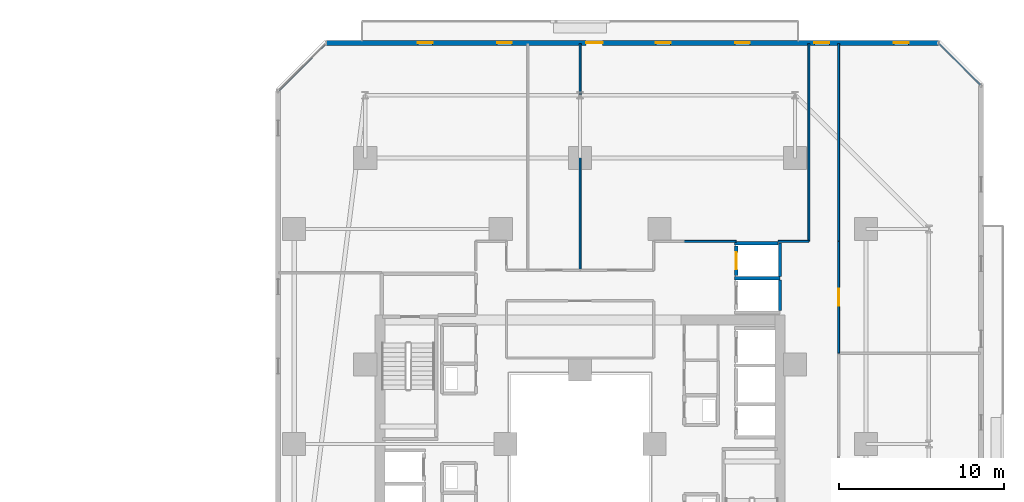
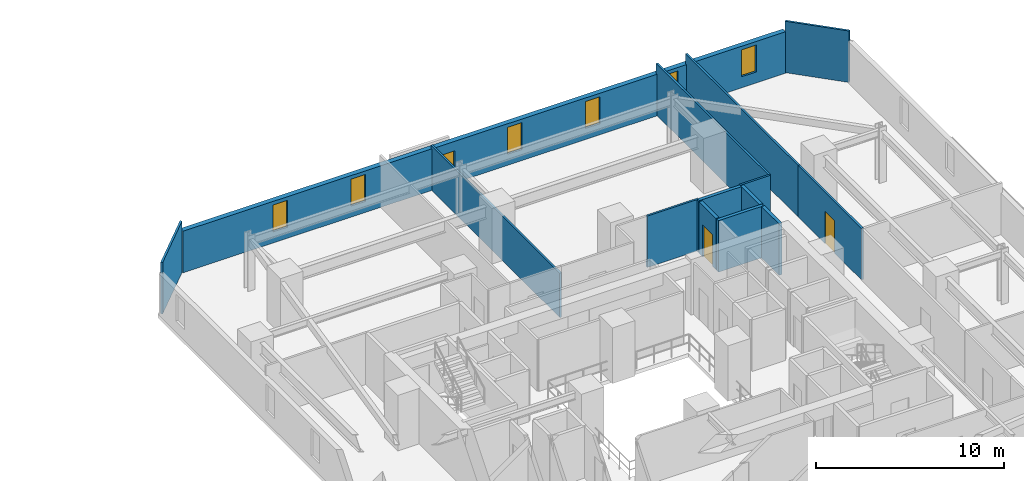
# One storey, part 28 of 35: 14 walls, 6 windows, 3 doors, 9 openings.
"""IFC4 building model written with IfcOpenShell, lengths in metres."""

from ifc_helpers import new_model, si_unit, direction, frame, frame_2d, origin, place, context, subcontext, project, spatial, rectangle, extrude, material, layer, layer_set, type_object, element, fill, save


model = new_model("IFC4")

# Units and contexts
model_context = context("Model", 3, precision=1e-05, world=origin(), true_north=direction((0.0, 1.0)))
body_context = subcontext(model_context, "Body", "Model", "MODEL_VIEW")
ifc_project = project(units=[si_unit("LENGTHUNIT", "METRE"), si_unit("AREAUNIT", "SQUARE_METRE"), si_unit("VOLUMEUNIT", "CUBIC_METRE"), si_unit("PLANEANGLEUNIT", "RADIAN"), si_unit("MASSUNIT", "GRAM", prefix="KILO")], contexts=[model_context])

# Site, building, storey
site_placement = place(None, origin())
site = spatial("IfcSite", under=ifc_project, at=site_placement, CompositionType="ELEMENT")
building_placement = place(site_placement, origin())
building = spatial("IfcBuilding", under=site, at=building_placement, Name="Thornwick Lancets Civic Towers", CompositionType="ELEMENT")
storey_placement = place(building_placement, frame((0.0, 0.0, 64.5)))
storey = spatial("IfcBuildingStorey", under=building, at=storey_placement, Name="L16", CompositionType="ELEMENT", Elevation=64.5)

# Wall, opening, door
ifc_material_1 = material(Name="Concrete blockwork C40/50", Category="masonry")
ifc_layer_1 = layer(ifc_material_1, 0.199951171875, Name="Concrete blockwork C40/50")
ifc_layer_set_1 = layer_set([ifc_layer_1], Name="Concrete blockwork C40/50")
wall_type_1 = type_object("IfcWallType", Name="WALL_COMP_200", PredefinedType="STANDARD", material=ifc_layer_set_1)
wall_1_placement = place(storey_placement, frame((97.949951171875, 38.969970703125, 0.0), z_axis=(0.0, 0.0, 1.0), x_axis=(0.0, -1.0, 0.0)))
wall_1 = element("IfcWall", 1, at=wall_1_placement, inside=storey, type_object=wall_type_1, Name="L16 Hoistway Front Wall PL-BL3", PredefinedType="STANDARD", context=body_context, shape_type="SweptSolid", body=[
    extrude(rectangle(XDim=1.7900390625, YDim=0.199951171875, at=frame_2d((0.89501953125, 0.0))), origin(), (0.0, 0.0, 1.0), 3.340087890625),
])
opening_1_placement = place(wall_1_placement, frame((0.385009765625, 0.0, 0.0)))
opening_1 = element("IfcOpeningElement", 2, at=opening_1_placement, cuts=wall_1, Name="Opening LD-PL-BL3", PredefinedType="OPENING", context=body_context, shape_type="SweptSolid", body=[
    extrude(rectangle(XDim=1.02001953125, YDim=2.06005859375, at=frame_2d((0.510009765625, 1.030029296875))), frame((0.0, 0.10986328125, 0.0), z_axis=(0.0, -1.0, 0.0), x_axis=(1.0, 0.0, 0.0)), (0.0, 0.0, 1.0), 0.219970703125),
])
ifc_material_2 = material(Name="Brushed bronze stainless steel", Category="steel")
door_type_1 = type_object("IfcDoorType", Name="DOOR_LIFT_SLIDE", OperationType="SLIDING_TO_LEFT", PredefinedType="DOOR", material=ifc_material_2)
door_1_placement = place(opening_1_placement, origin())
door_1 = element("IfcDoor", 3, at=door_1_placement, inside=storey, type_object=door_type_1, Name="L16 Sliding Lift Landing Door LD-PL-BL3", OperationType="SLIDING_TO_LEFT", OverallHeight=2.06005859375, OverallWidth=1.02001953125, PredefinedType="DOOR", context=body_context, shape_type="SweptSolid", body=[
    extrude(rectangle(XDim=1.02001953125, YDim=2.06005859375, at=frame_2d((0.510009765625, 1.030029296875))), frame((0.0, 0.02490234375, 0.0), z_axis=(0.0, -1.0, 0.0), x_axis=(1.0, 0.0, 0.0)), (0.0, 0.0, 1.0), 0.050048828125),
])
fill(opening_1, door_1)

# Walls
wall_2_placement = place(storey_placement, frame((97.85205078125, 37.02490234375, 0.0), z_axis=(0.0, 0.0, 1.0), x_axis=(1.0, 0.0, 0.0)))
element("IfcWall", 4, at=wall_2_placement, inside=storey, type_object=wall_type_1, Name="L16 Hoistway Shaft Wall PL-BL2 N", PredefinedType="STANDARD", context=body_context, shape_type="SweptSolid", body=[
    extrude(rectangle(XDim=2.745849609375, YDim=0.199951171875, at=frame_2d((1.373046875, 0.0))), origin(), (0.0, 0.0, 1.0), 3.340087890625),
])
wall_3_placement = place(storey_placement, frame((100.60009765625, 35.06201171875, 0.0), z_axis=(0.0, 0.0, 1.0), x_axis=(0.0, 1.0, 0.0)))
element("IfcWall", 5, at=wall_3_placement, inside=storey, type_object=wall_type_1, Name="L16 Hoistway Shaft Wall PL-BL2 E", PredefinedType="STANDARD", context=body_context, shape_type="SweptSolid", body=[
    extrude(rectangle(XDim=1.85595703125, YDim=0.199951171875, at=frame_2d((0.927978515625, 0.0))), origin(), (0.0, 0.0, 1.0), 3.340087890625),
])
wall_4_placement = place(storey_placement, frame((100.60009765625, 37.132080078125, 0.0), z_axis=(0.0, 0.0, 1.0), x_axis=(0.0, 1.0, 0.0)))
element("IfcWall", 6, at=wall_4_placement, inside=storey, type_object=wall_type_1, Name="L16 Hoistway Shaft Wall PL-BL2 E", PredefinedType="STANDARD", context=body_context, shape_type="SweptSolid", body=[
    extrude(rectangle(XDim=2.015869140625, YDim=0.199951171875, at=frame_2d((1.0078125, 0.0))), origin(), (0.0, 0.0, 1.0), 3.340087890625),
])
wall_5_placement = place(storey_placement, frame((97.85205078125, 39.14990234375, 0.0), z_axis=(0.0, 0.0, 1.0), x_axis=(1.0, 0.0, 0.0)))
element("IfcWall", 7, at=wall_5_placement, inside=storey, type_object=wall_type_1, Name="L16 Hoistway Shaft Wall PL-BL3 N", PredefinedType="STANDARD", context=body_context, shape_type="SweptSolid", body=[
    extrude(rectangle(XDim=2.635986328125, YDim=0.199951171875, at=frame_2d((1.31787109375, 0.0))), origin(), (0.0, 0.0, 1.0), 3.340087890625),
])

# Wall, openings, door, windows
ifc_material_3 = material(Name="Insulated russet terracotta rainscreen on concrete C40/50", Category="masonry")
ifc_layer_2 = layer(ifc_material_3, 0.300048828125, Name="Insulated russet terracotta rainscreen on concrete C40/50")
ifc_layer_set_2 = layer_set([ifc_layer_2], Name="Insulated russet terracotta rainscreen on concrete C40/50")
wall_type_2 = type_object("IfcWallType", Name="WALL_EXT_RUSSET_300", PredefinedType="STANDARD", material=ifc_layer_set_2)
wall_6_placement = place(storey_placement, frame((110.18115234375, 51.264892578125, 0.0), z_axis=(0.0, 0.0, 1.0), x_axis=(-0.999999999457, -3.2959355e-05, 0.0)))
wall_6 = element("IfcWall", 8, at=wall_6_placement, inside=storey, type_object=wall_type_2, Name="L16 Tower B Terracotta Facade Wall E4", PredefinedType="STANDARD", context=body_context, shape_type="SweptSolid", body=[
    extrude(rectangle(XDim=37.03662109375, YDim=0.300048828125, at=frame_2d((18.518310546875, 0.0))), origin(), (0.0, 0.0, 1.0), 2.699951171875),
])
opening_2_placement = place(wall_6_placement, frame((20.318359375, 0.0, 0.0)))
opening_2 = element("IfcOpeningElement", 9, at=opening_2_placement, cuts=wall_6, Name="Opening D-BL-L16-BN", PredefinedType="OPENING", context=body_context, shape_type="SweptSolid", body=[
    extrude(rectangle(XDim=1.0, YDim=2.080078125, at=frame_2d((0.5, 1.0400390625))), frame((0.0, 0.16015625, 0.0), z_axis=(0.0, -1.0, 0.0), x_axis=(1.0, 0.0, 0.0)), (0.0, 0.0, 1.0), 0.320068359375),
])
opening_3_placement = place(wall_6_placement, frame((1.800048828125, 0.0, 0.719970703125)))
opening_3 = element("IfcOpeningElement", 10, at=opening_3_placement, cuts=wall_6, Name="Opening WL-01", PredefinedType="OPENING", context=body_context, shape_type="SweptSolid", body=[
    extrude(rectangle(XDim=0.89990234375, YDim=1.75, at=frame_2d((0.449951171875, 0.875))), frame((0.0, 0.16015625, 0.0), z_axis=(0.0, -1.0, 0.0), x_axis=(1.0, 0.0, 0.0)), (0.0, 0.0, 1.0), 0.320068359375),
])
opening_4_placement = place(wall_6_placement, frame((6.60009765625, 0.0, 0.719970703125)))
opening_4 = element("IfcOpeningElement", 11, at=opening_4_placement, cuts=wall_6, Name="Opening WL-01", PredefinedType="OPENING", context=body_context, shape_type="SweptSolid", body=[
    extrude(rectangle(XDim=0.89990234375, YDim=1.75, at=frame_2d((0.449951171875, 0.875))), frame((0.0, 0.16015625, 0.0), z_axis=(0.0, -1.0, 0.0), x_axis=(1.0, 0.0, 0.0)), (0.0, 0.0, 1.0), 0.320068359375),
])
opening_5_placement = place(wall_6_placement, frame((11.39990234375, 0.0, 0.719970703125)))
opening_5 = element("IfcOpeningElement", 12, at=opening_5_placement, cuts=wall_6, Name="Opening WL-01", PredefinedType="OPENING", context=body_context, shape_type="SweptSolid", body=[
    extrude(rectangle(XDim=0.89990234375, YDim=1.75, at=frame_2d((0.449951171875, 0.875))), frame((0.0, 0.16015625, 0.0), z_axis=(0.0, -1.0, 0.0), x_axis=(1.0, 0.0, 0.0)), (0.0, 0.0, 1.0), 0.320068359375),
])
opening_6_placement = place(wall_6_placement, frame((16.199951171875, 0.0, 0.719970703125)))
opening_6 = element("IfcOpeningElement", 13, at=opening_6_placement, cuts=wall_6, Name="Opening WL-01", PredefinedType="OPENING", context=body_context, shape_type="SweptSolid", body=[
    extrude(rectangle(XDim=0.89990234375, YDim=1.75, at=frame_2d((0.449951171875, 0.875))), frame((0.0, 0.16015625, 0.0), z_axis=(0.0, -1.0, 0.0), x_axis=(1.0, 0.0, 0.0)), (0.0, 0.0, 1.0), 0.320068359375),
])
opening_7_placement = place(wall_6_placement, frame((25.800048828125, 0.0, 0.719970703125)))
opening_7 = element("IfcOpeningElement", 14, at=opening_7_placement, cuts=wall_6, Name="Opening WL-01", PredefinedType="OPENING", context=body_context, shape_type="SweptSolid", body=[
    extrude(rectangle(XDim=0.89990234375, YDim=1.75, at=frame_2d((0.449951171875, 0.875))), frame((0.0, 0.16015625, 0.0), z_axis=(0.0, -1.0, 0.0), x_axis=(1.0, 0.0, 0.0)), (0.0, 0.0, 1.0), 0.320068359375),
])
opening_8_placement = place(wall_6_placement, frame((30.60009765625, 0.0, 0.719970703125)))
opening_8 = element("IfcOpeningElement", 15, at=opening_8_placement, cuts=wall_6, Name="Opening WL-01", PredefinedType="OPENING", context=body_context, shape_type="SweptSolid", body=[
    extrude(rectangle(XDim=0.89990234375, YDim=1.75, at=frame_2d((0.449951171875, 0.875))), frame((0.0, 0.16015625, 0.0), z_axis=(0.0, -1.0, 0.0), x_axis=(1.0, 0.0, 0.0)), (0.0, 0.0, 1.0), 0.320068359375),
])
ifc_material_4 = material(Name="Thermally broken glazed loggia doorset")
door_type_2 = type_object("IfcDoorType", Name="DOOR_BALC_1000", OperationType="NOTDEFINED", PredefinedType="DOOR", material=ifc_material_4)
door_2_placement = place(opening_2_placement, origin())
door_2 = element("IfcDoor", 16, at=door_2_placement, inside=storey, type_object=door_type_2, Name="L16 Tower B Loggia Balcony Door N", OperationType="SINGLE_SWING_LEFT", OverallHeight=2.080078125, OverallWidth=1.0, PredefinedType="DOOR", context=body_context, shape_type="SweptSolid", body=[
    extrude(rectangle(XDim=1.0, YDim=2.080078125, at=frame_2d((0.5, 1.0400390625))), frame((0.0, 0.02490234375, 0.0), z_axis=(0.0, -1.0, 0.0), x_axis=(1.0, 0.0, 0.0)), (0.0, 0.0, 1.0), 0.050048828125),
])
fill(opening_2, door_2)
ifc_material_5 = material(Name="Clear low-e double glazing in bronze frame", Category="glass")
window_type = type_object("IfcWindowType", Name="WIN_LANCET_900", PartitioningType="SINGLE_PANEL", PredefinedType="WINDOW", material=ifc_material_5)
window_1_placement = place(opening_3_placement, origin())
window_1 = element("IfcWindow", 17, at=window_1_placement, inside=storey, type_object=window_type, Name="L16 Tower B Staggered Lancet Window E4-1", OverallHeight=1.75, OverallWidth=0.89990234375, PartitioningType="SINGLE_PANEL", PredefinedType="WINDOW", context=body_context, shape_type="SweptSolid", body=[
    extrude(rectangle(XDim=0.89990234375, YDim=1.75, at=frame_2d((0.449951171875, 0.875))), frame((0.0, 0.030029296875, 0.0), z_axis=(0.0, -1.0, 0.0), x_axis=(1.0, 0.0, 0.0)), (0.0, 0.0, 1.0), 0.06005859375),
])
fill(opening_3, window_1)
window_2_placement = place(opening_4_placement, origin())
window_2 = element("IfcWindow", 18, at=window_2_placement, inside=storey, type_object=window_type, Name="L16 Tower B Staggered Lancet Window E4-2", OverallHeight=1.75, OverallWidth=0.89990234375, PartitioningType="SINGLE_PANEL", PredefinedType="WINDOW", context=body_context, shape_type="SweptSolid", body=[
    extrude(rectangle(XDim=0.89990234375, YDim=1.75, at=frame_2d((0.449951171875, 0.875))), frame((0.0, 0.030029296875, 0.0), z_axis=(0.0, -1.0, 0.0), x_axis=(1.0, 0.0, 0.0)), (0.0, 0.0, 1.0), 0.06005859375),
])
fill(opening_4, window_2)
window_3_placement = place(opening_5_placement, origin())
window_3 = element("IfcWindow", 19, at=window_3_placement, inside=storey, type_object=window_type, Name="L16 Tower B Staggered Lancet Window E4-3", OverallHeight=1.75, OverallWidth=0.89990234375, PartitioningType="SINGLE_PANEL", PredefinedType="WINDOW", context=body_context, shape_type="SweptSolid", body=[
    extrude(rectangle(XDim=0.89990234375, YDim=1.75, at=frame_2d((0.449951171875, 0.875))), frame((0.0, 0.030029296875, 0.0), z_axis=(0.0, -1.0, 0.0), x_axis=(1.0, 0.0, 0.0)), (0.0, 0.0, 1.0), 0.06005859375),
])
fill(opening_5, window_3)
window_4_placement = place(opening_6_placement, origin())
window_4 = element("IfcWindow", 20, at=window_4_placement, inside=storey, type_object=window_type, Name="L16 Tower B Staggered Lancet Window E4-4", OverallHeight=1.75, OverallWidth=0.89990234375, PartitioningType="SINGLE_PANEL", PredefinedType="WINDOW", context=body_context, shape_type="SweptSolid", body=[
    extrude(rectangle(XDim=0.89990234375, YDim=1.75, at=frame_2d((0.449951171875, 0.875))), frame((0.0, 0.030029296875, 0.0), z_axis=(0.0, -1.0, 0.0), x_axis=(1.0, 0.0, 0.0)), (0.0, 0.0, 1.0), 0.06005859375),
])
fill(opening_6, window_4)
window_5_placement = place(opening_7_placement, origin())
window_5 = element("IfcWindow", 21, at=window_5_placement, inside=storey, type_object=window_type, Name="L16 Tower B Staggered Lancet Window E4-5", OverallHeight=1.75, OverallWidth=0.89990234375, PartitioningType="SINGLE_PANEL", PredefinedType="WINDOW", context=body_context, shape_type="SweptSolid", body=[
    extrude(rectangle(XDim=0.89990234375, YDim=1.75, at=frame_2d((0.449951171875, 0.875))), frame((0.0, 0.030029296875, 0.0), z_axis=(0.0, -1.0, 0.0), x_axis=(1.0, 0.0, 0.0)), (0.0, 0.0, 1.0), 0.06005859375),
])
fill(opening_7, window_5)
window_6_placement = place(opening_8_placement, origin())
window_6 = element("IfcWindow", 22, at=window_6_placement, inside=storey, type_object=window_type, Name="L16 Tower B Staggered Lancet Window E4-6", OverallHeight=1.75, OverallWidth=0.89990234375, PartitioningType="SINGLE_PANEL", PredefinedType="WINDOW", context=body_context, shape_type="SweptSolid", body=[
    extrude(rectangle(XDim=0.89990234375, YDim=1.75, at=frame_2d((0.449951171875, 0.875))), frame((0.0, 0.030029296875, 0.0), z_axis=(0.0, -1.0, 0.0), x_axis=(1.0, 0.0, 0.0)), (0.0, 0.0, 1.0), 0.06005859375),
])
fill(opening_8, window_6)

# Walls
ifc_material_6 = material(Name="Acoustic gypsum board partition")
ifc_layer_3 = layer(ifc_material_6, 0.1201171875, Name="Acoustic gypsum board partition")
ifc_layer_set_3 = layer_set([ifc_layer_3], Name="Acoustic gypsum board partition")
wall_type_3 = type_object("IfcWallType", Name="WALL_PART_120", PredefinedType="PARTITIONING", material=ifc_layer_set_3)
wall_7_placement = place(storey_placement, frame((97.949951171875, 39.25, 0.0), z_axis=(0.0, 0.0, 1.0), x_axis=(-1.0, 0.0, 0.0)))
element("IfcWall", 23, at=wall_7_placement, inside=storey, type_object=wall_type_3, Name="L16 Partition L16-B-E1 E1", PredefinedType="PARTITIONING", context=body_context, shape_type="SweptSolid", body=[
    extrude(rectangle(XDim=3.14990234375, YDim=0.1201171875, at=frame_2d((1.574951171875, 0.0))), origin(), (0.0, 0.0, 1.0), 3.340087890625),
])
wall_8_placement = place(storey_placement, frame((88.5, 37.5, 0.0), z_axis=(0.0, 0.0, 1.0), x_axis=(0.0, 1.0, 0.0)))
element("IfcWall", 24, at=wall_8_placement, inside=storey, type_object=wall_type_3, Name="L16 Partition L16-B-E1 E5", PredefinedType="PARTITIONING", context=body_context, shape_type="SweptSolid", body=[
    extrude(rectangle(XDim=13.719970703125, YDim=0.1201171875, at=frame_2d((6.85986328125, 0.0))), origin(), (0.0, 0.0, 1.0), 2.877685546875),
])
wall_9_placement = place(storey_placement, frame((102.35009765625, 51.219970703125, 0.0), z_axis=(0.0, 0.0, 1.0), x_axis=(0.0, -1.0, 0.0)))
element("IfcWall", 25, at=wall_9_placement, inside=storey, type_object=wall_type_3, Name="L16 Partition L16-B-E1 E7", PredefinedType="PARTITIONING", context=body_context, shape_type="SweptSolid", body=[
    extrude(rectangle(XDim=11.969970703125, YDim=0.1201171875, at=frame_2d((5.98486328125, 0.0))), origin(), (0.0, 0.0, 1.0), 3.340087890625),
])
wall_10_placement = place(storey_placement, frame((102.35009765625, 39.25, 0.0), z_axis=(0.0, 0.0, 1.0), x_axis=(-1.0, 0.0, 0.0)))
element("IfcWall", 26, at=wall_10_placement, inside=storey, type_object=wall_type_3, Name="L16 Partition L16-B-E1 E8", PredefinedType="PARTITIONING", context=body_context, shape_type="SweptSolid", body=[
    extrude(rectangle(XDim=1.862060546875, YDim=0.1201171875, at=frame_2d((0.93115234375, 0.0))), origin(), (0.0, 0.0, 1.0), 3.340087890625),
])
wall_11_placement = place(storey_placement, frame((70.280029296875, 48.3984375, 0.0), z_axis=(0.0, 0.0, 1.0), x_axis=(0.707106781187, 0.707106781187, 0.0)))
element("IfcWall", 27, at=wall_11_placement, inside=storey, type_object=wall_type_3, Name="L16 Partition L16-B-E3 E7", PredefinedType="PARTITIONING", context=body_context, shape_type="SweptSolid", body=[
    extrude(rectangle(XDim=3.990234375, YDim=0.1201171875, at=frame_2d((1.9951171875, 0.0))), origin(), (0.0, 0.0, 1.0), 3.340087890625),
])

# Wall, opening, door
wall_12_placement = place(storey_placement, frame((104.14990234375, 32.5, 0.0), z_axis=(0.0, 0.0, 1.0), x_axis=(0.0, 1.0, 0.0)))
wall_12 = element("IfcWall", 28, at=wall_12_placement, inside=storey, type_object=wall_type_3, Name="L16 Partition L16-B-S-OFF2 E1", PredefinedType="PARTITIONING", context=body_context, shape_type="SweptSolid", body=[
    extrude(rectangle(XDim=6.75, YDim=0.1201171875, at=frame_2d((3.375, 0.0))), origin(), (0.0, 0.0, 1.0), 3.340087890625),
])
opening_9_placement = place(wall_12_placement, frame((2.85009765625, 0.0, 0.0)))
opening_9 = element("IfcOpeningElement", 29, at=opening_9_placement, cuts=wall_12, Name="Opening D-L16-0796", PredefinedType="OPENING", context=body_context, shape_type="SweptSolid", body=[
    extrude(rectangle(XDim=1.050048828125, YDim=2.10009765625, at=frame_2d((0.52490234375, 1.050048828125))), frame((0.0, 0.070068359375, 0.0), z_axis=(0.0, -1.0, 0.0), x_axis=(1.0, 0.0, 0.0)), (0.0, 0.0, 1.0), 0.14013671875),
])
ifc_material_7 = material(Name="Glazed European oak executive doorset")
door_type_3 = type_object("IfcDoorType", Name="DOOR_OFFICE_1050", OperationType="NOTDEFINED", PredefinedType="DOOR", material=ifc_material_7)
door_3_placement = place(opening_9_placement, origin())
door_3 = element("IfcDoor", 30, at=door_3_placement, inside=storey, type_object=door_type_3, Name="L16 Tower B South-East Division Office Door", OperationType="SINGLE_SWING_LEFT", OverallHeight=2.10009765625, OverallWidth=1.050048828125, PredefinedType="DOOR", context=body_context, shape_type="SweptSolid", body=[
    extrude(rectangle(XDim=1.050048828125, YDim=2.10009765625, at=frame_2d((0.52490234375, 1.050048828125))), frame((0.0, 0.02490234375, 0.0), z_axis=(0.0, -1.0, 0.0), x_axis=(1.0, 0.0, 0.0)), (0.0, 0.0, 1.0), 0.050048828125),
])
fill(opening_9, door_3)

# Walls
wall_13_placement = place(storey_placement, frame((104.14990234375, 39.25, 0.0), z_axis=(0.0, 0.0, 1.0), x_axis=(0.0, 1.0, 0.0)))
element("IfcWall", 31, at=wall_13_placement, inside=storey, type_object=wall_type_3, Name="L16 Partition L16-B-S-OFF2 E2", PredefinedType="PARTITIONING", context=body_context, shape_type="SweptSolid", body=[
    extrude(rectangle(XDim=11.969970703125, YDim=0.1201171875, at=frame_2d((5.98486328125, 0.0))), origin(), (0.0, 0.0, 1.0), 3.340087890625),
])
wall_14_placement = place(storey_placement, frame((110.225341796875, 51.219970703125, 0.0), z_axis=(0.0, 0.0, 1.0), x_axis=(0.707106781187, -0.707106781187, 0.0)))
element("IfcWall", 32, at=wall_14_placement, inside=storey, type_object=wall_type_3, Name="L16 Partition L16-B-S-OFF2 E4", PredefinedType="PARTITIONING", context=body_context, shape_type="SweptSolid", body=[
    extrude(rectangle(XDim=3.52783203125, YDim=0.1201171875, at=frame_2d((1.763916015625, 0.0))), origin(), (0.0, 0.0, 1.0), 3.340087890625),
])

save(model, "model.ifc")
